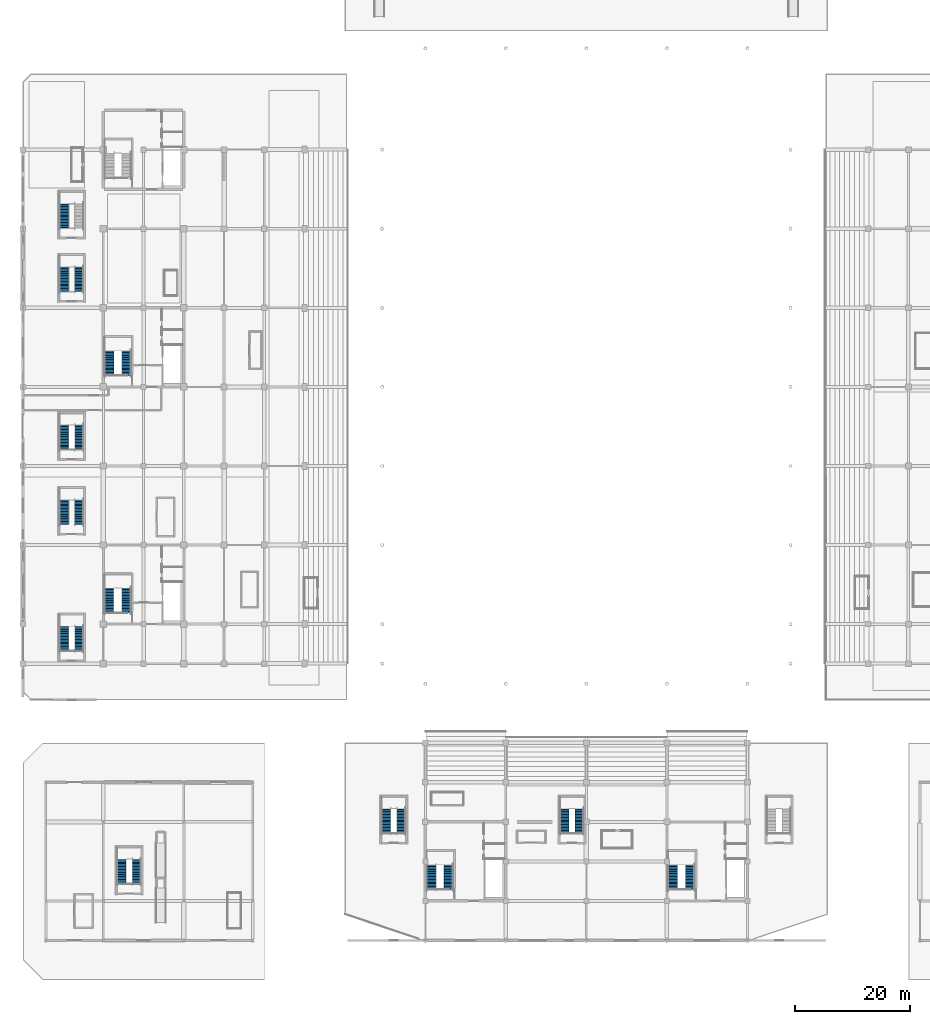
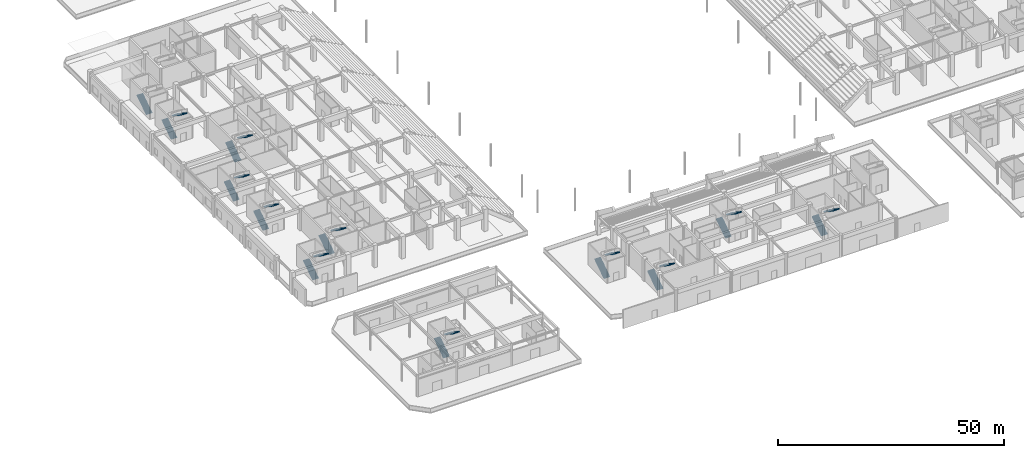
# One storey, part 54 of 73: 23 stair flights, 12 elements without a shape of their own.
"""IFC4 building model written with IfcOpenShell, lengths in metres."""

from ifc_helpers import new_model, si_unit, direction, frame, origin, place, context, subcontext, project, spatial, polyline, outline, extrude, material, type_object, element, aggregate, save


model = new_model("IFC4")

# Units and contexts
model_context = context("Model", 3, precision=1e-05, world=origin(), true_north=direction((0.0, 1.0)))
body_context = subcontext(model_context, "Body", "Model", "MODEL_VIEW")
ifc_project = project(units=[si_unit("LENGTHUNIT", "METRE"), si_unit("AREAUNIT", "SQUARE_METRE"), si_unit("VOLUMEUNIT", "CUBIC_METRE"), si_unit("PLANEANGLEUNIT", "RADIAN"), si_unit("MASSUNIT", "GRAM", prefix="KILO")], contexts=[model_context])

# Site, building, storey
site_placement = place(None, origin())
site = spatial("IfcSite", under=ifc_project, at=site_placement, CompositionType="ELEMENT")
building_placement = place(site_placement, origin())
building = spatial("IfcBuilding", under=site, at=building_placement, Name="Linyun Crest Stadium", CompositionType="ELEMENT")
storey_placement = place(building_placement, origin())
storey = spatial("IfcBuildingStorey", under=building, at=storey_placement, Name="L01", CompositionType="ELEMENT", Elevation=0.0)

# Stair, stair flights
ifc_material_1 = material(Name="Concrete C40", Category="concrete")
stair_type = type_object("IfcStairType", Name="STA01", PredefinedType="HALF_TURN_STAIR", material=ifc_material_1)
stair_1_placement = place(storey_placement, origin())
stair_1 = element("IfcStair", 1, at=stair_1_placement, inside=storey, type_object=stair_type, Name="Evacuation stair STR-01-L01", PredefinedType="HALF_TURN_STAIR")
ifc_material_2 = material(Name="Concrete C40", Category="concrete")
stair_flight_type_1 = type_object("IfcStairFlightType", Name="STF01", PredefinedType="STRAIGHT", material=ifc_material_2)
stair_flight_1_placement = place(storey_placement, frame((-82.9599609375, -37.135009765625, 0.0), z_axis=(0.0, 0.0, 1.0), x_axis=(0.0, 1.0, 0.0)))
stair_flight_1 = element("IfcStairFlight", 2, at=stair_flight_1_placement, type_object=stair_flight_type_1, Name="STR-01-L01 flight 1", NumberOfRisers=18, NumberOfTreads=17, PredefinedType="STRAIGHT", RiserHeight=0.166666667, TreadLength=0.25, context=body_context, shape_type="SweptSolid", body=[
    extrude(outline(polyline([(0.0, 0.0), (0.0, 0.166748046875), (0.25, 0.166748046875), (0.25, 0.333251953125), (0.5, 0.333251953125), (0.5, 0.5), (0.75, 0.5), (0.75, 0.666748046875), (1.0, 0.666748046875), (1.0, 0.833251953125), (1.25, 0.833251953125), (1.25, 1.0), (1.5, 1.0), (1.5, 1.166748046875), (1.75, 1.166748046875), (1.75, 1.333251953125), (2.0, 1.333251953125), (2.0, 1.5), (2.25, 1.5), (2.25, 1.666748046875), (2.5, 1.666748046875), (2.5, 1.833251953125), (2.75, 1.833251953125), (2.75, 2.0), (3.0, 2.0), (3.0, 2.166748046875), (3.25, 2.166748046875), (3.25, 2.333251953125), (3.5, 2.333251953125), (3.5, 2.5), (3.75, 2.5), (3.75, 2.666748046875), (4.0, 2.666748046875), (4.0, 2.833251953125), (4.25, 2.833251953125), (4.25, 3.0), (4.25, 2.6171875), (0.324462890625, 0.0), (0.0, 0.0)])), frame((0.0, 0.824951171875, 0.0), z_axis=(0.0, -1.0, 0.0), x_axis=(1.0, 0.0, 0.0)), (0.0, 0.0, 1.0), 1.64990234375),
])
stair_flight_2_placement = place(storey_placement, frame((-79.965087890625, -32.885009765625, 3.0), z_axis=(0.0, 0.0, 1.0), x_axis=(0.0, -1.0, 0.0)))
stair_flight_2 = element("IfcStairFlight", 3, at=stair_flight_2_placement, type_object=stair_flight_type_1, Name="STR-01-L01 flight 2", NumberOfRisers=18, NumberOfTreads=17, PredefinedType="STRAIGHT", RiserHeight=0.166666667, TreadLength=0.25, context=body_context, shape_type="SweptSolid", body=[
    extrude(outline(polyline([(0.0, 0.0), (0.0, 0.166748046875), (0.25, 0.166748046875), (0.25, 0.333251953125), (0.5, 0.333251953125), (0.5, 0.5), (0.75, 0.5), (0.75, 0.666748046875), (1.0, 0.666748046875), (1.0, 0.833251953125), (1.25, 0.833251953125), (1.25, 1.0), (1.5, 1.0), (1.5, 1.166748046875), (1.75, 1.166748046875), (1.75, 1.333251953125), (2.0, 1.333251953125), (2.0, 1.5), (2.25, 1.5), (2.25, 1.666748046875), (2.5, 1.666748046875), (2.5, 1.833251953125), (2.75, 1.833251953125), (2.75, 2.0), (3.0, 2.0), (3.0, 2.166748046875), (3.25, 2.166748046875), (3.25, 2.333251953125), (3.5, 2.333251953125), (3.5, 2.5), (3.75, 2.5), (3.75, 2.666748046875), (4.0, 2.666748046875), (4.0, 2.833251953125), (4.25, 2.833251953125), (4.25, 3.0), (4.25, 2.6171875), (0.324462890625, 0.0), (0.0, 0.0)])), frame((0.0, 0.824951171875, 0.0), z_axis=(0.0, -1.0, 0.0), x_axis=(1.0, 0.0, 0.0)), (0.0, 0.0, 1.0), 1.64990234375),
])
aggregate(stair_1, [stair_flight_1, stair_flight_2])

stair_2_placement = place(storey_placement, origin())
stair_2 = element("IfcStair", 4, at=stair_2_placement, inside=storey, type_object=stair_type, Name="Evacuation stair STR-02-L01", PredefinedType="HALF_TURN_STAIR")
stair_flight_3_placement = place(storey_placement, frame((-82.93505859375, 4.114990234375, 0.0), z_axis=(0.0, 0.0, 1.0), x_axis=(0.0, 1.0, 0.0)))
stair_flight_3 = element("IfcStairFlight", 5, at=stair_flight_3_placement, type_object=stair_flight_type_1, Name="STR-02-L01 flight 1", NumberOfRisers=18, NumberOfTreads=17, PredefinedType="STRAIGHT", RiserHeight=0.166666667, TreadLength=0.25, context=body_context, shape_type="SweptSolid", body=[
    extrude(outline(polyline([(0.0, 0.0), (0.0, 0.166748046875), (0.25, 0.166748046875), (0.25, 0.333251953125), (0.5, 0.333251953125), (0.5, 0.5), (0.75, 0.5), (0.75, 0.666748046875), (1.0, 0.666748046875), (1.0, 0.833251953125), (1.25, 0.833251953125), (1.25, 1.0), (1.5, 1.0), (1.5, 1.166748046875), (1.75, 1.166748046875), (1.75, 1.333251953125), (2.0, 1.333251953125), (2.0, 1.5), (2.25, 1.5), (2.25, 1.666748046875), (2.5, 1.666748046875), (2.5, 1.833251953125), (2.75, 1.833251953125), (2.75, 2.0), (3.0, 2.0), (3.0, 2.166748046875), (3.25, 2.166748046875), (3.25, 2.333251953125), (3.5, 2.333251953125), (3.5, 2.5), (3.75, 2.5), (3.75, 2.666748046875), (4.0, 2.666748046875), (4.0, 2.833251953125), (4.25, 2.833251953125), (4.25, 3.0), (4.25, 2.6171875), (0.324462890625, 0.0), (0.0, 0.0)])), frame((0.0, 0.824951171875, 0.0), z_axis=(0.0, -1.0, 0.0), x_axis=(1.0, 0.0, 0.0)), (0.0, 0.0, 1.0), 1.64990234375),
])
stair_flight_4_placement = place(storey_placement, frame((-79.965087890625, 8.364990234375, 3.0), z_axis=(0.0, 0.0, 1.0), x_axis=(0.0, -1.0, 0.0)))
stair_flight_4 = element("IfcStairFlight", 6, at=stair_flight_4_placement, type_object=stair_flight_type_1, Name="STR-02-L01 flight 2", NumberOfRisers=18, NumberOfTreads=17, PredefinedType="STRAIGHT", RiserHeight=0.166666667, TreadLength=0.25, context=body_context, shape_type="SweptSolid", body=[
    extrude(outline(polyline([(0.0, 0.0), (0.0, 0.166748046875), (0.25, 0.166748046875), (0.25, 0.333251953125), (0.5, 0.333251953125), (0.5, 0.5), (0.75, 0.5), (0.75, 0.666748046875), (1.0, 0.666748046875), (1.0, 0.833251953125), (1.25, 0.833251953125), (1.25, 1.0), (1.5, 1.0), (1.5, 1.166748046875), (1.75, 1.166748046875), (1.75, 1.333251953125), (2.0, 1.333251953125), (2.0, 1.5), (2.25, 1.5), (2.25, 1.666748046875), (2.5, 1.666748046875), (2.5, 1.833251953125), (2.75, 1.833251953125), (2.75, 2.0), (3.0, 2.0), (3.0, 2.166748046875), (3.25, 2.166748046875), (3.25, 2.333251953125), (3.5, 2.333251953125), (3.5, 2.5), (3.75, 2.5), (3.75, 2.666748046875), (4.0, 2.666748046875), (4.0, 2.833251953125), (4.25, 2.833251953125), (4.25, 3.0), (4.25, 2.6171875), (0.324462890625, 0.0), (0.0, 0.0)])), frame((0.0, 0.824951171875, 0.0), z_axis=(0.0, -1.0, 0.0), x_axis=(1.0, 0.0, 0.0)), (0.0, 0.0, 1.0), 1.64990234375),
])
aggregate(stair_2, [stair_flight_3, stair_flight_4])

stair_3_placement = place(storey_placement, origin())
stair_3 = element("IfcStair", 7, at=stair_3_placement, inside=storey, type_object=stair_type, Name="Evacuation stair STR-09-L01", PredefinedType="HALF_TURN_STAIR")
stair_flight_5_placement = place(storey_placement, frame((-26.909912109375, -85.260009765625, 0.0), z_axis=(0.0, 0.0, 1.0), x_axis=(0.0, 1.0, 0.0)))
stair_flight_5 = element("IfcStairFlight", 8, at=stair_flight_5_placement, type_object=stair_flight_type_1, Name="STR-09-L01 flight 1", NumberOfRisers=18, NumberOfTreads=17, PredefinedType="STRAIGHT", RiserHeight=0.166666667, TreadLength=0.25, context=body_context, shape_type="SweptSolid", body=[
    extrude(outline(polyline([(0.0, 0.0), (0.0, 0.166748046875), (0.25, 0.166748046875), (0.25, 0.333251953125), (0.5, 0.333251953125), (0.5, 0.5), (0.75, 0.5), (0.75, 0.666748046875), (1.0, 0.666748046875), (1.0, 0.833251953125), (1.25, 0.833251953125), (1.25, 1.0), (1.5, 1.0), (1.5, 1.166748046875), (1.75, 1.166748046875), (1.75, 1.333251953125), (2.0, 1.333251953125), (2.0, 1.5), (2.25, 1.5), (2.25, 1.666748046875), (2.5, 1.666748046875), (2.5, 1.833251953125), (2.75, 1.833251953125), (2.75, 2.0), (3.0, 2.0), (3.0, 2.166748046875), (3.25, 2.166748046875), (3.25, 2.333251953125), (3.5, 2.333251953125), (3.5, 2.5), (3.75, 2.5), (3.75, 2.666748046875), (4.0, 2.666748046875), (4.0, 2.833251953125), (4.25, 2.833251953125), (4.25, 3.0), (4.25, 2.6171875), (0.324462890625, 0.0), (0.0, 0.0)])), frame((0.0, 0.824951171875, 0.0), z_axis=(0.0, -1.0, 0.0), x_axis=(1.0, 0.0, 0.0)), (0.0, 0.0, 1.0), 1.64990234375),
])
stair_flight_6_placement = place(storey_placement, frame((-23.965087890625, -81.010009765625, 3.0), z_axis=(0.0, 0.0, 1.0), x_axis=(0.0, -1.0, 0.0)))
stair_flight_6 = element("IfcStairFlight", 9, at=stair_flight_6_placement, type_object=stair_flight_type_1, Name="STR-09-L01 flight 2", NumberOfRisers=18, NumberOfTreads=17, PredefinedType="STRAIGHT", RiserHeight=0.166666667, TreadLength=0.25, context=body_context, shape_type="SweptSolid", body=[
    extrude(outline(polyline([(0.0, 0.0), (0.0, 0.166748046875), (0.25, 0.166748046875), (0.25, 0.333251953125), (0.5, 0.333251953125), (0.5, 0.5), (0.75, 0.5), (0.75, 0.666748046875), (1.0, 0.666748046875), (1.0, 0.833251953125), (1.25, 0.833251953125), (1.25, 1.0), (1.5, 1.0), (1.5, 1.166748046875), (1.75, 1.166748046875), (1.75, 1.333251953125), (2.0, 1.333251953125), (2.0, 1.5), (2.25, 1.5), (2.25, 1.666748046875), (2.5, 1.666748046875), (2.5, 1.833251953125), (2.75, 1.833251953125), (2.75, 2.0), (3.0, 2.0), (3.0, 2.166748046875), (3.25, 2.166748046875), (3.25, 2.333251953125), (3.5, 2.333251953125), (3.5, 2.5), (3.75, 2.5), (3.75, 2.666748046875), (4.0, 2.666748046875), (4.0, 2.833251953125), (4.25, 2.833251953125), (4.25, 3.0), (4.25, 2.6171875), (0.324462890625, 0.0), (0.0, 0.0)])), frame((0.0, 0.824951171875, 0.0), z_axis=(0.0, -1.0, 0.0), x_axis=(1.0, 0.0, 0.0)), (0.0, 0.0, 1.0), 1.64990234375),
])
aggregate(stair_3, [stair_flight_5, stair_flight_6])

stair_4_placement = place(storey_placement, origin())
stair_4 = element("IfcStair", 10, at=stair_4_placement, inside=storey, type_object=stair_type, Name="Evacuation stair STR-10-L01", PredefinedType="HALF_TURN_STAIR")
stair_flight_7_placement = place(storey_placement, frame((15.0400390625, -85.260009765625, 0.0), z_axis=(0.0, 0.0, 1.0), x_axis=(0.0, 1.0, 0.0)))
stair_flight_7 = element("IfcStairFlight", 11, at=stair_flight_7_placement, type_object=stair_flight_type_1, Name="STR-10-L01 flight 1", NumberOfRisers=18, NumberOfTreads=17, PredefinedType="STRAIGHT", RiserHeight=0.166666667, TreadLength=0.25, context=body_context, shape_type="SweptSolid", body=[
    extrude(outline(polyline([(0.0, 0.0), (0.0, 0.166748046875), (0.25, 0.166748046875), (0.25, 0.333251953125), (0.5, 0.333251953125), (0.5, 0.5), (0.75, 0.5), (0.75, 0.666748046875), (1.0, 0.666748046875), (1.0, 0.833251953125), (1.25, 0.833251953125), (1.25, 1.0), (1.5, 1.0), (1.5, 1.166748046875), (1.75, 1.166748046875), (1.75, 1.333251953125), (2.0, 1.333251953125), (2.0, 1.5), (2.25, 1.5), (2.25, 1.666748046875), (2.5, 1.666748046875), (2.5, 1.833251953125), (2.75, 1.833251953125), (2.75, 2.0), (3.0, 2.0), (3.0, 2.166748046875), (3.25, 2.166748046875), (3.25, 2.333251953125), (3.5, 2.333251953125), (3.5, 2.5), (3.75, 2.5), (3.75, 2.666748046875), (4.0, 2.666748046875), (4.0, 2.833251953125), (4.25, 2.833251953125), (4.25, 3.0), (4.25, 2.6171875), (0.324462890625, 0.0), (0.0, 0.0)])), frame((0.0, 0.824951171875, 0.0), z_axis=(0.0, -1.0, 0.0), x_axis=(1.0, 0.0, 0.0)), (0.0, 0.0, 1.0), 1.64990234375),
])
stair_flight_8_placement = place(storey_placement, frame((18.034912109375, -81.010009765625, 3.0), z_axis=(0.0, 0.0, 1.0), x_axis=(0.0, -1.0, 0.0)))
stair_flight_8 = element("IfcStairFlight", 12, at=stair_flight_8_placement, type_object=stair_flight_type_1, Name="STR-10-L01 flight 2", NumberOfRisers=18, NumberOfTreads=17, PredefinedType="STRAIGHT", RiserHeight=0.166666667, TreadLength=0.25, context=body_context, shape_type="SweptSolid", body=[
    extrude(outline(polyline([(0.0, 0.0), (0.0, 0.166748046875), (0.25, 0.166748046875), (0.25, 0.333251953125), (0.5, 0.333251953125), (0.5, 0.5), (0.75, 0.5), (0.75, 0.666748046875), (1.0, 0.666748046875), (1.0, 0.833251953125), (1.25, 0.833251953125), (1.25, 1.0), (1.5, 1.0), (1.5, 1.166748046875), (1.75, 1.166748046875), (1.75, 1.333251953125), (2.0, 1.333251953125), (2.0, 1.5), (2.25, 1.5), (2.25, 1.666748046875), (2.5, 1.666748046875), (2.5, 1.833251953125), (2.75, 1.833251953125), (2.75, 2.0), (3.0, 2.0), (3.0, 2.166748046875), (3.25, 2.166748046875), (3.25, 2.333251953125), (3.5, 2.333251953125), (3.5, 2.5), (3.75, 2.5), (3.75, 2.666748046875), (4.0, 2.666748046875), (4.0, 2.833251953125), (4.25, 2.833251953125), (4.25, 3.0), (4.25, 2.6171875), (0.324462890625, 0.0), (0.0, 0.0)])), frame((0.0, 0.824951171875, 0.0), z_axis=(0.0, -1.0, 0.0), x_axis=(1.0, 0.0, 0.0)), (0.0, 0.0, 1.0), 1.64990234375),
])
aggregate(stair_4, [stair_flight_7, stair_flight_8])

stair_5_placement = place(storey_placement, origin())
stair_5 = element("IfcStair", 13, at=stair_5_placement, inside=storey, type_object=stair_type, Name="Vomitory evacuation stair STR-13-L01", PredefinedType="HALF_TURN_STAIR")
ifc_material_3 = material(Name="Concrete C40", Category="concrete")
stair_flight_type_2 = type_object("IfcStairFlightType", Name="STF02", PredefinedType="STRAIGHT", material=ifc_material_3)
stair_flight_9_placement = place(storey_placement, frame((-90.784912109375, -43.780029296875, 0.0), z_axis=(0.0, 0.0, 1.0), x_axis=(0.0, 1.0, 0.0)))
stair_flight_9 = element("IfcStairFlight", 14, at=stair_flight_9_placement, type_object=stair_flight_type_2, Name="STR-13-L01 flight 1", NumberOfRisers=18, NumberOfTreads=17, PredefinedType="STRAIGHT", RiserHeight=0.166666667, TreadLength=0.25, context=body_context, shape_type="SweptSolid", body=[
    extrude(outline(polyline([(0.0, 0.0), (0.0, 0.166748046875), (0.25, 0.166748046875), (0.25, 0.333251953125), (0.5, 0.333251953125), (0.5, 0.5), (0.75, 0.5), (0.75, 0.666748046875), (1.0, 0.666748046875), (1.0, 0.833251953125), (1.25, 0.833251953125), (1.25, 1.0), (1.5, 1.0), (1.5, 1.166748046875), (1.75, 1.166748046875), (1.75, 1.333251953125), (2.0, 1.333251953125), (2.0, 1.5), (2.25, 1.5), (2.25, 1.666748046875), (2.5, 1.666748046875), (2.5, 1.833251953125), (2.75, 1.833251953125), (2.75, 2.0), (3.0, 2.0), (3.0, 2.166748046875), (3.25, 2.166748046875), (3.25, 2.333251953125), (3.5, 2.333251953125), (3.5, 2.5), (3.75, 2.5), (3.75, 2.666748046875), (4.0, 2.666748046875), (4.0, 2.833251953125), (4.25, 2.833251953125), (4.25, 3.0), (4.25, 2.6171875), (0.324462890625, 0.0), (0.0, 0.0)])), frame((0.0, 0.77490234375, 0.0), z_axis=(0.0, -1.0, 0.0), x_axis=(1.0, 0.0, 0.0)), (0.0, 0.0, 1.0), 1.550048828125),
])
stair_flight_10_placement = place(storey_placement, frame((-88.215087890625, -39.530029296875, 3.0), z_axis=(0.0, 0.0, 1.0), x_axis=(0.0, -1.0, 0.0)))
stair_flight_10 = element("IfcStairFlight", 15, at=stair_flight_10_placement, type_object=stair_flight_type_2, Name="STR-13-L01 flight 2", NumberOfRisers=18, NumberOfTreads=17, PredefinedType="STRAIGHT", RiserHeight=0.166666667, TreadLength=0.25, context=body_context, shape_type="SweptSolid", body=[
    extrude(outline(polyline([(0.0, 0.0), (0.0, 0.166748046875), (0.25, 0.166748046875), (0.25, 0.333251953125), (0.5, 0.333251953125), (0.5, 0.5), (0.75, 0.5), (0.75, 0.666748046875), (1.0, 0.666748046875), (1.0, 0.833251953125), (1.25, 0.833251953125), (1.25, 1.0), (1.5, 1.0), (1.5, 1.166748046875), (1.75, 1.166748046875), (1.75, 1.333251953125), (2.0, 1.333251953125), (2.0, 1.5), (2.25, 1.5), (2.25, 1.666748046875), (2.5, 1.666748046875), (2.5, 1.833251953125), (2.75, 1.833251953125), (2.75, 2.0), (3.0, 2.0), (3.0, 2.166748046875), (3.25, 2.166748046875), (3.25, 2.333251953125), (3.5, 2.333251953125), (3.5, 2.5), (3.75, 2.5), (3.75, 2.666748046875), (4.0, 2.666748046875), (4.0, 2.833251953125), (4.25, 2.833251953125), (4.25, 3.0), (4.25, 2.6171875), (0.324462890625, 0.0), (0.0, 0.0)])), frame((0.0, 0.77490234375, 0.0), z_axis=(0.0, -1.0, 0.0), x_axis=(1.0, 0.0, 0.0)), (0.0, 0.0, 1.0), 1.550048828125),
])
aggregate(stair_5, [stair_flight_9, stair_flight_10])

stair_6_placement = place(storey_placement, origin())
stair_6 = element("IfcStair", 16, at=stair_6_placement, inside=storey, type_object=stair_type, Name="Vomitory evacuation stair STR-14-L01", PredefinedType="HALF_TURN_STAIR")
stair_flight_11_placement = place(storey_placement, frame((-90.784912109375, -21.780029296875, 0.0), z_axis=(0.0, 0.0, 1.0), x_axis=(0.0, 1.0, 0.0)))
stair_flight_11 = element("IfcStairFlight", 17, at=stair_flight_11_placement, type_object=stair_flight_type_2, Name="STR-14-L01 flight 1", NumberOfRisers=18, NumberOfTreads=17, PredefinedType="STRAIGHT", RiserHeight=0.166666667, TreadLength=0.25, context=body_context, shape_type="SweptSolid", body=[
    extrude(outline(polyline([(0.0, 0.0), (0.0, 0.166748046875), (0.25, 0.166748046875), (0.25, 0.333251953125), (0.5, 0.333251953125), (0.5, 0.5), (0.75, 0.5), (0.75, 0.666748046875), (1.0, 0.666748046875), (1.0, 0.833251953125), (1.25, 0.833251953125), (1.25, 1.0), (1.5, 1.0), (1.5, 1.166748046875), (1.75, 1.166748046875), (1.75, 1.333251953125), (2.0, 1.333251953125), (2.0, 1.5), (2.25, 1.5), (2.25, 1.666748046875), (2.5, 1.666748046875), (2.5, 1.833251953125), (2.75, 1.833251953125), (2.75, 2.0), (3.0, 2.0), (3.0, 2.166748046875), (3.25, 2.166748046875), (3.25, 2.333251953125), (3.5, 2.333251953125), (3.5, 2.5), (3.75, 2.5), (3.75, 2.666748046875), (4.0, 2.666748046875), (4.0, 2.833251953125), (4.25, 2.833251953125), (4.25, 3.0), (4.25, 2.6171875), (0.324462890625, 0.0), (0.0, 0.0)])), frame((0.0, 0.77490234375, 0.0), z_axis=(0.0, -1.0, 0.0), x_axis=(1.0, 0.0, 0.0)), (0.0, 0.0, 1.0), 1.550048828125),
])
stair_flight_12_placement = place(storey_placement, frame((-88.215087890625, -17.530029296875, 3.0), z_axis=(0.0, 0.0, 1.0), x_axis=(0.0, -1.0, 0.0)))
stair_flight_12 = element("IfcStairFlight", 18, at=stair_flight_12_placement, type_object=stair_flight_type_2, Name="STR-14-L01 flight 2", NumberOfRisers=18, NumberOfTreads=17, PredefinedType="STRAIGHT", RiserHeight=0.166666667, TreadLength=0.25, context=body_context, shape_type="SweptSolid", body=[
    extrude(outline(polyline([(0.0, 0.0), (0.0, 0.166748046875), (0.25, 0.166748046875), (0.25, 0.333251953125), (0.5, 0.333251953125), (0.5, 0.5), (0.75, 0.5), (0.75, 0.666748046875), (1.0, 0.666748046875), (1.0, 0.833251953125), (1.25, 0.833251953125), (1.25, 1.0), (1.5, 1.0), (1.5, 1.166748046875), (1.75, 1.166748046875), (1.75, 1.333251953125), (2.0, 1.333251953125), (2.0, 1.5), (2.25, 1.5), (2.25, 1.666748046875), (2.5, 1.666748046875), (2.5, 1.833251953125), (2.75, 1.833251953125), (2.75, 2.0), (3.0, 2.0), (3.0, 2.166748046875), (3.25, 2.166748046875), (3.25, 2.333251953125), (3.5, 2.333251953125), (3.5, 2.5), (3.75, 2.5), (3.75, 2.666748046875), (4.0, 2.666748046875), (4.0, 2.833251953125), (4.25, 2.833251953125), (4.25, 3.0), (4.25, 2.6171875), (0.324462890625, 0.0), (0.0, 0.0)])), frame((0.0, 0.77490234375, 0.0), z_axis=(0.0, -1.0, 0.0), x_axis=(1.0, 0.0, 0.0)), (0.0, 0.0, 1.0), 1.550048828125),
])
aggregate(stair_6, [stair_flight_11, stair_flight_12])

stair_7_placement = place(storey_placement, origin())
stair_7 = element("IfcStair", 19, at=stair_7_placement, inside=storey, type_object=stair_type, Name="Vomitory evacuation stair STR-15-L01", PredefinedType="HALF_TURN_STAIR")
stair_flight_13_placement = place(storey_placement, frame((-90.784912109375, -8.780029296875, 0.0), z_axis=(0.0, 0.0, 1.0), x_axis=(0.0, 1.0, 0.0)))
stair_flight_13 = element("IfcStairFlight", 20, at=stair_flight_13_placement, type_object=stair_flight_type_2, Name="STR-15-L01 flight 1", NumberOfRisers=18, NumberOfTreads=17, PredefinedType="STRAIGHT", RiserHeight=0.166666667, TreadLength=0.25, context=body_context, shape_type="SweptSolid", body=[
    extrude(outline(polyline([(0.0, 0.0), (0.0, 0.166748046875), (0.25, 0.166748046875), (0.25, 0.333251953125), (0.5, 0.333251953125), (0.5, 0.5), (0.75, 0.5), (0.75, 0.666748046875), (1.0, 0.666748046875), (1.0, 0.833251953125), (1.25, 0.833251953125), (1.25, 1.0), (1.5, 1.0), (1.5, 1.166748046875), (1.75, 1.166748046875), (1.75, 1.333251953125), (2.0, 1.333251953125), (2.0, 1.5), (2.25, 1.5), (2.25, 1.666748046875), (2.5, 1.666748046875), (2.5, 1.833251953125), (2.75, 1.833251953125), (2.75, 2.0), (3.0, 2.0), (3.0, 2.166748046875), (3.25, 2.166748046875), (3.25, 2.333251953125), (3.5, 2.333251953125), (3.5, 2.5), (3.75, 2.5), (3.75, 2.666748046875), (4.0, 2.666748046875), (4.0, 2.833251953125), (4.25, 2.833251953125), (4.25, 3.0), (4.25, 2.6171875), (0.324462890625, 0.0), (0.0, 0.0)])), frame((0.0, 0.77490234375, 0.0), z_axis=(0.0, -1.0, 0.0), x_axis=(1.0, 0.0, 0.0)), (0.0, 0.0, 1.0), 1.550048828125),
])
stair_flight_14_placement = place(storey_placement, frame((-88.215087890625, -4.530029296875, 3.0), z_axis=(0.0, 0.0, 1.0), x_axis=(0.0, -1.0, 0.0)))
stair_flight_14 = element("IfcStairFlight", 21, at=stair_flight_14_placement, type_object=stair_flight_type_2, Name="STR-15-L01 flight 2", NumberOfRisers=18, NumberOfTreads=17, PredefinedType="STRAIGHT", RiserHeight=0.166666667, TreadLength=0.25, context=body_context, shape_type="SweptSolid", body=[
    extrude(outline(polyline([(0.0, 0.0), (0.0, 0.166748046875), (0.25, 0.166748046875), (0.25, 0.333251953125), (0.5, 0.333251953125), (0.5, 0.5), (0.75, 0.5), (0.75, 0.666748046875), (1.0, 0.666748046875), (1.0, 0.833251953125), (1.25, 0.833251953125), (1.25, 1.0), (1.5, 1.0), (1.5, 1.166748046875), (1.75, 1.166748046875), (1.75, 1.333251953125), (2.0, 1.333251953125), (2.0, 1.5), (2.25, 1.5), (2.25, 1.666748046875), (2.5, 1.666748046875), (2.5, 1.833251953125), (2.75, 1.833251953125), (2.75, 2.0), (3.0, 2.0), (3.0, 2.166748046875), (3.25, 2.166748046875), (3.25, 2.333251953125), (3.5, 2.333251953125), (3.5, 2.5), (3.75, 2.5), (3.75, 2.666748046875), (4.0, 2.666748046875), (4.0, 2.833251953125), (4.25, 2.833251953125), (4.25, 3.0), (4.25, 2.6171875), (0.324462890625, 0.0), (0.0, 0.0)])), frame((0.0, 0.77490234375, 0.0), z_axis=(0.0, -1.0, 0.0), x_axis=(1.0, 0.0, 0.0)), (0.0, 0.0, 1.0), 1.550048828125),
])
aggregate(stair_7, [stair_flight_13, stair_flight_14])

stair_8_placement = place(storey_placement, origin())
stair_8 = element("IfcStair", 22, at=stair_8_placement, inside=storey, type_object=stair_type, Name="Vomitory evacuation stair STR-16-L01", PredefinedType="HALF_TURN_STAIR")
stair_flight_15_placement = place(storey_placement, frame((-90.784912109375, 18.719970703125, 0.0), z_axis=(0.0, 0.0, 1.0), x_axis=(0.0, 1.0, 0.0)))
stair_flight_15 = element("IfcStairFlight", 23, at=stair_flight_15_placement, type_object=stair_flight_type_2, Name="STR-16-L01 flight 1", NumberOfRisers=18, NumberOfTreads=17, PredefinedType="STRAIGHT", RiserHeight=0.166666667, TreadLength=0.25, context=body_context, shape_type="SweptSolid", body=[
    extrude(outline(polyline([(0.0, 0.0), (0.0, 0.166748046875), (0.25, 0.166748046875), (0.25, 0.333251953125), (0.5, 0.333251953125), (0.5, 0.5), (0.75, 0.5), (0.75, 0.666748046875), (1.0, 0.666748046875), (1.0, 0.833251953125), (1.25, 0.833251953125), (1.25, 1.0), (1.5, 1.0), (1.5, 1.166748046875), (1.75, 1.166748046875), (1.75, 1.333251953125), (2.0, 1.333251953125), (2.0, 1.5), (2.25, 1.5), (2.25, 1.666748046875), (2.5, 1.666748046875), (2.5, 1.833251953125), (2.75, 1.833251953125), (2.75, 2.0), (3.0, 2.0), (3.0, 2.166748046875), (3.25, 2.166748046875), (3.25, 2.333251953125), (3.5, 2.333251953125), (3.5, 2.5), (3.75, 2.5), (3.75, 2.666748046875), (4.0, 2.666748046875), (4.0, 2.833251953125), (4.25, 2.833251953125), (4.25, 3.0), (4.25, 2.6171875), (0.324462890625, 0.0), (0.0, 0.0)])), frame((0.0, 0.77490234375, 0.0), z_axis=(0.0, -1.0, 0.0), x_axis=(1.0, 0.0, 0.0)), (0.0, 0.0, 1.0), 1.550048828125),
])
stair_flight_16_placement = place(storey_placement, frame((-88.215087890625, 22.969970703125, 3.0), z_axis=(0.0, 0.0, 1.0), x_axis=(0.0, -1.0, 0.0)))
stair_flight_16 = element("IfcStairFlight", 24, at=stair_flight_16_placement, type_object=stair_flight_type_2, Name="STR-16-L01 flight 2", NumberOfRisers=18, NumberOfTreads=17, PredefinedType="STRAIGHT", RiserHeight=0.166666667, TreadLength=0.25, context=body_context, shape_type="SweptSolid", body=[
    extrude(outline(polyline([(0.0, 0.0), (0.0, 0.166748046875), (0.25, 0.166748046875), (0.25, 0.333251953125), (0.5, 0.333251953125), (0.5, 0.5), (0.75, 0.5), (0.75, 0.666748046875), (1.0, 0.666748046875), (1.0, 0.833251953125), (1.25, 0.833251953125), (1.25, 1.0), (1.5, 1.0), (1.5, 1.166748046875), (1.75, 1.166748046875), (1.75, 1.333251953125), (2.0, 1.333251953125), (2.0, 1.5), (2.25, 1.5), (2.25, 1.666748046875), (2.5, 1.666748046875), (2.5, 1.833251953125), (2.75, 1.833251953125), (2.75, 2.0), (3.0, 2.0), (3.0, 2.166748046875), (3.25, 2.166748046875), (3.25, 2.333251953125), (3.5, 2.333251953125), (3.5, 2.5), (3.75, 2.5), (3.75, 2.666748046875), (4.0, 2.666748046875), (4.0, 2.833251953125), (4.25, 2.833251953125), (4.25, 3.0), (4.25, 2.6171875), (0.324462890625, 0.0), (0.0, 0.0)])), frame((0.0, 0.77490234375, 0.0), z_axis=(0.0, -1.0, 0.0), x_axis=(1.0, 0.0, 0.0)), (0.0, 0.0, 1.0), 1.550048828125),
])
aggregate(stair_8, [stair_flight_15, stair_flight_16])

# Stair, stair flight
stair_9_placement = place(storey_placement, origin())
stair_9 = element("IfcStair", 25, at=stair_9_placement, inside=storey, type_object=stair_type, Name="Vomitory evacuation stair STR-17-L01", PredefinedType="HALF_TURN_STAIR")
stair_flight_17_placement = place(storey_placement, frame((-90.784912109375, 29.719970703125, 0.0), z_axis=(0.0, 0.0, 1.0), x_axis=(0.0, 1.0, 0.0)))
stair_flight_17 = element("IfcStairFlight", 26, at=stair_flight_17_placement, type_object=stair_flight_type_2, Name="STR-17-L01 flight 1", NumberOfRisers=18, NumberOfTreads=17, PredefinedType="STRAIGHT", RiserHeight=0.166666667, TreadLength=0.25, context=body_context, shape_type="SweptSolid", body=[
    extrude(outline(polyline([(0.0, 0.0), (0.0, 0.166748046875), (0.25, 0.166748046875), (0.25, 0.333251953125), (0.5, 0.333251953125), (0.5, 0.5), (0.75, 0.5), (0.75, 0.666748046875), (1.0, 0.666748046875), (1.0, 0.833251953125), (1.25, 0.833251953125), (1.25, 1.0), (1.5, 1.0), (1.5, 1.166748046875), (1.75, 1.166748046875), (1.75, 1.333251953125), (2.0, 1.333251953125), (2.0, 1.5), (2.25, 1.5), (2.25, 1.666748046875), (2.5, 1.666748046875), (2.5, 1.833251953125), (2.75, 1.833251953125), (2.75, 2.0), (3.0, 2.0), (3.0, 2.166748046875), (3.25, 2.166748046875), (3.25, 2.333251953125), (3.5, 2.333251953125), (3.5, 2.5), (3.75, 2.5), (3.75, 2.666748046875), (4.0, 2.666748046875), (4.0, 2.833251953125), (4.25, 2.833251953125), (4.25, 3.0), (4.25, 2.6171875), (0.324462890625, 0.0), (0.0, 0.0)])), frame((0.0, 0.77490234375, 0.0), z_axis=(0.0, -1.0, 0.0), x_axis=(1.0, 0.0, 0.0)), (0.0, 0.0, 1.0), 1.550048828125),
])
aggregate(stair_9, [stair_flight_17])

# Stair, stair flights
stair_10_placement = place(storey_placement, origin())
stair_10 = element("IfcStair", 27, at=stair_10_placement, inside=storey, type_object=stair_type, Name="Vomitory evacuation stair STR-27-L01", PredefinedType="HALF_TURN_STAIR")
stair_flight_18_placement = place(storey_placement, frame((-34.784912109375, -75.47998046875, 0.0), z_axis=(0.0, 0.0, 1.0), x_axis=(0.0, 1.0, 0.0)))
stair_flight_18 = element("IfcStairFlight", 28, at=stair_flight_18_placement, type_object=stair_flight_type_2, Name="STR-27-L01 flight 1", NumberOfRisers=18, NumberOfTreads=17, PredefinedType="STRAIGHT", RiserHeight=0.166666667, TreadLength=0.25, context=body_context, shape_type="SweptSolid", body=[
    extrude(outline(polyline([(0.0, 0.0), (0.0, 0.166748046875), (0.25, 0.166748046875), (0.25, 0.333251953125), (0.5, 0.333251953125), (0.5, 0.5), (0.75, 0.5), (0.75, 0.666748046875), (1.0, 0.666748046875), (1.0, 0.833251953125), (1.25, 0.833251953125), (1.25, 1.0), (1.5, 1.0), (1.5, 1.166748046875), (1.75, 1.166748046875), (1.75, 1.333251953125), (2.0, 1.333251953125), (2.0, 1.5), (2.25, 1.5), (2.25, 1.666748046875), (2.5, 1.666748046875), (2.5, 1.833251953125), (2.75, 1.833251953125), (2.75, 2.0), (3.0, 2.0), (3.0, 2.166748046875), (3.25, 2.166748046875), (3.25, 2.333251953125), (3.5, 2.333251953125), (3.5, 2.5), (3.75, 2.5), (3.75, 2.666748046875), (4.0, 2.666748046875), (4.0, 2.833251953125), (4.25, 2.833251953125), (4.25, 3.0), (4.25, 2.6171875), (0.324462890625, 0.0), (0.0, 0.0)])), frame((0.0, 0.77490234375, 0.0), z_axis=(0.0, -1.0, 0.0), x_axis=(1.0, 0.0, 0.0)), (0.0, 0.0, 1.0), 1.550048828125),
])
stair_flight_19_placement = place(storey_placement, frame((-32.215087890625, -71.22998046875, 3.0), z_axis=(0.0, 0.0, 1.0), x_axis=(0.0, -1.0, 0.0)))
stair_flight_19 = element("IfcStairFlight", 29, at=stair_flight_19_placement, type_object=stair_flight_type_2, Name="STR-27-L01 flight 2", NumberOfRisers=18, NumberOfTreads=17, PredefinedType="STRAIGHT", RiserHeight=0.166666667, TreadLength=0.25, context=body_context, shape_type="SweptSolid", body=[
    extrude(outline(polyline([(0.0, 0.0), (0.0, 0.166748046875), (0.25, 0.166748046875), (0.25, 0.333251953125), (0.5, 0.333251953125), (0.5, 0.5), (0.75, 0.5), (0.75, 0.666748046875), (1.0, 0.666748046875), (1.0, 0.833251953125), (1.25, 0.833251953125), (1.25, 1.0), (1.5, 1.0), (1.5, 1.166748046875), (1.75, 1.166748046875), (1.75, 1.333251953125), (2.0, 1.333251953125), (2.0, 1.5), (2.25, 1.5), (2.25, 1.666748046875), (2.5, 1.666748046875), (2.5, 1.833251953125), (2.75, 1.833251953125), (2.75, 2.0), (3.0, 2.0), (3.0, 2.166748046875), (3.25, 2.166748046875), (3.25, 2.333251953125), (3.5, 2.333251953125), (3.5, 2.5), (3.75, 2.5), (3.75, 2.666748046875), (4.0, 2.666748046875), (4.0, 2.833251953125), (4.25, 2.833251953125), (4.25, 3.0), (4.25, 2.6171875), (0.324462890625, 0.0), (0.0, 0.0)])), frame((0.0, 0.77490234375, 0.0), z_axis=(0.0, -1.0, 0.0), x_axis=(1.0, 0.0, 0.0)), (0.0, 0.0, 1.0), 1.550048828125),
])
aggregate(stair_10, [stair_flight_18, stair_flight_19])

stair_11_placement = place(storey_placement, origin())
stair_11 = element("IfcStair", 30, at=stair_11_placement, inside=storey, type_object=stair_type, Name="Vomitory evacuation stair STR-28-L01", PredefinedType="HALF_TURN_STAIR")
stair_flight_20_placement = place(storey_placement, frame((-3.784912109375, -75.47998046875, 0.0), z_axis=(0.0, 0.0, 1.0), x_axis=(0.0, 1.0, 0.0)))
stair_flight_20 = element("IfcStairFlight", 31, at=stair_flight_20_placement, type_object=stair_flight_type_2, Name="STR-28-L01 flight 1", NumberOfRisers=18, NumberOfTreads=17, PredefinedType="STRAIGHT", RiserHeight=0.166666667, TreadLength=0.25, context=body_context, shape_type="SweptSolid", body=[
    extrude(outline(polyline([(0.0, 0.0), (0.0, 0.166748046875), (0.25, 0.166748046875), (0.25, 0.333251953125), (0.5, 0.333251953125), (0.5, 0.5), (0.75, 0.5), (0.75, 0.666748046875), (1.0, 0.666748046875), (1.0, 0.833251953125), (1.25, 0.833251953125), (1.25, 1.0), (1.5, 1.0), (1.5, 1.166748046875), (1.75, 1.166748046875), (1.75, 1.333251953125), (2.0, 1.333251953125), (2.0, 1.5), (2.25, 1.5), (2.25, 1.666748046875), (2.5, 1.666748046875), (2.5, 1.833251953125), (2.75, 1.833251953125), (2.75, 2.0), (3.0, 2.0), (3.0, 2.166748046875), (3.25, 2.166748046875), (3.25, 2.333251953125), (3.5, 2.333251953125), (3.5, 2.5), (3.75, 2.5), (3.75, 2.666748046875), (4.0, 2.666748046875), (4.0, 2.833251953125), (4.25, 2.833251953125), (4.25, 3.0), (4.25, 2.6171875), (0.324462890625, 0.0), (0.0, 0.0)])), frame((0.0, 0.77490234375, 0.0), z_axis=(0.0, -1.0, 0.0), x_axis=(1.0, 0.0, 0.0)), (0.0, 0.0, 1.0), 1.550048828125),
])
stair_flight_21_placement = place(storey_placement, frame((-1.215087890625, -71.22998046875, 3.0), z_axis=(0.0, 0.0, 1.0), x_axis=(0.0, -1.0, 0.0)))
stair_flight_21 = element("IfcStairFlight", 32, at=stair_flight_21_placement, type_object=stair_flight_type_2, Name="STR-28-L01 flight 2", NumberOfRisers=18, NumberOfTreads=17, PredefinedType="STRAIGHT", RiserHeight=0.166666667, TreadLength=0.25, context=body_context, shape_type="SweptSolid", body=[
    extrude(outline(polyline([(0.0, 0.0), (0.0, 0.166748046875), (0.25, 0.166748046875), (0.25, 0.333251953125), (0.5, 0.333251953125), (0.5, 0.5), (0.75, 0.5), (0.75, 0.666748046875), (1.0, 0.666748046875), (1.0, 0.833251953125), (1.25, 0.833251953125), (1.25, 1.0), (1.5, 1.0), (1.5, 1.166748046875), (1.75, 1.166748046875), (1.75, 1.333251953125), (2.0, 1.333251953125), (2.0, 1.5), (2.25, 1.5), (2.25, 1.666748046875), (2.5, 1.666748046875), (2.5, 1.833251953125), (2.75, 1.833251953125), (2.75, 2.0), (3.0, 2.0), (3.0, 2.166748046875), (3.25, 2.166748046875), (3.25, 2.333251953125), (3.5, 2.333251953125), (3.5, 2.5), (3.75, 2.5), (3.75, 2.666748046875), (4.0, 2.666748046875), (4.0, 2.833251953125), (4.25, 2.833251953125), (4.25, 3.0), (4.25, 2.6171875), (0.324462890625, 0.0), (0.0, 0.0)])), frame((0.0, 0.77490234375, 0.0), z_axis=(0.0, -1.0, 0.0), x_axis=(1.0, 0.0, 0.0)), (0.0, 0.0, 1.0), 1.550048828125),
])
aggregate(stair_11, [stair_flight_20, stair_flight_21])

stair_12_placement = place(storey_placement, origin())
stair_12 = element("IfcStair", 33, at=stair_12_placement, inside=storey, type_object=stair_type, Name="Vomitory evacuation stair STR-30-L01", PredefinedType="HALF_TURN_STAIR")
stair_flight_22_placement = place(storey_placement, frame((-80.784912109375, -84.280029296875, 0.0), z_axis=(0.0, 0.0, 1.0), x_axis=(0.0, 1.0, 0.0)))
stair_flight_22 = element("IfcStairFlight", 34, at=stair_flight_22_placement, type_object=stair_flight_type_2, Name="STR-30-L01 flight 1", NumberOfRisers=18, NumberOfTreads=17, PredefinedType="STRAIGHT", RiserHeight=0.166666667, TreadLength=0.25, context=body_context, shape_type="SweptSolid", body=[
    extrude(outline(polyline([(0.0, 0.0), (0.0, 0.166748046875), (0.25, 0.166748046875), (0.25, 0.333251953125), (0.5, 0.333251953125), (0.5, 0.5), (0.75, 0.5), (0.75, 0.666748046875), (1.0, 0.666748046875), (1.0, 0.833251953125), (1.25, 0.833251953125), (1.25, 1.0), (1.5, 1.0), (1.5, 1.166748046875), (1.75, 1.166748046875), (1.75, 1.333251953125), (2.0, 1.333251953125), (2.0, 1.5), (2.25, 1.5), (2.25, 1.666748046875), (2.5, 1.666748046875), (2.5, 1.833251953125), (2.75, 1.833251953125), (2.75, 2.0), (3.0, 2.0), (3.0, 2.166748046875), (3.25, 2.166748046875), (3.25, 2.333251953125), (3.5, 2.333251953125), (3.5, 2.5), (3.75, 2.5), (3.75, 2.666748046875), (4.0, 2.666748046875), (4.0, 2.833251953125), (4.25, 2.833251953125), (4.25, 3.0), (4.25, 2.6171875), (0.324462890625, 0.0), (0.0, 0.0)])), frame((0.0, 0.77490234375, 0.0), z_axis=(0.0, -1.0, 0.0), x_axis=(1.0, 0.0, 0.0)), (0.0, 0.0, 1.0), 1.550048828125),
])
stair_flight_23_placement = place(storey_placement, frame((-78.215087890625, -80.030029296875, 3.0), z_axis=(0.0, 0.0, 1.0), x_axis=(0.0, -1.0, 0.0)))
stair_flight_23 = element("IfcStairFlight", 35, at=stair_flight_23_placement, type_object=stair_flight_type_2, Name="STR-30-L01 flight 2", NumberOfRisers=18, NumberOfTreads=17, PredefinedType="STRAIGHT", RiserHeight=0.166666667, TreadLength=0.25, context=body_context, shape_type="SweptSolid", body=[
    extrude(outline(polyline([(0.0, 0.0), (0.0, 0.166748046875), (0.25, 0.166748046875), (0.25, 0.333251953125), (0.5, 0.333251953125), (0.5, 0.5), (0.75, 0.5), (0.75, 0.666748046875), (1.0, 0.666748046875), (1.0, 0.833251953125), (1.25, 0.833251953125), (1.25, 1.0), (1.5, 1.0), (1.5, 1.166748046875), (1.75, 1.166748046875), (1.75, 1.333251953125), (2.0, 1.333251953125), (2.0, 1.5), (2.25, 1.5), (2.25, 1.666748046875), (2.5, 1.666748046875), (2.5, 1.833251953125), (2.75, 1.833251953125), (2.75, 2.0), (3.0, 2.0), (3.0, 2.166748046875), (3.25, 2.166748046875), (3.25, 2.333251953125), (3.5, 2.333251953125), (3.5, 2.5), (3.75, 2.5), (3.75, 2.666748046875), (4.0, 2.666748046875), (4.0, 2.833251953125), (4.25, 2.833251953125), (4.25, 3.0), (4.25, 2.6171875), (0.324462890625, 0.0), (0.0, 0.0)])), frame((0.0, 0.77490234375, 0.0), z_axis=(0.0, -1.0, 0.0), x_axis=(1.0, 0.0, 0.0)), (0.0, 0.0, 1.0), 1.550048828125),
])
aggregate(stair_12, [stair_flight_22, stair_flight_23])

save(model, "model.ifc")
